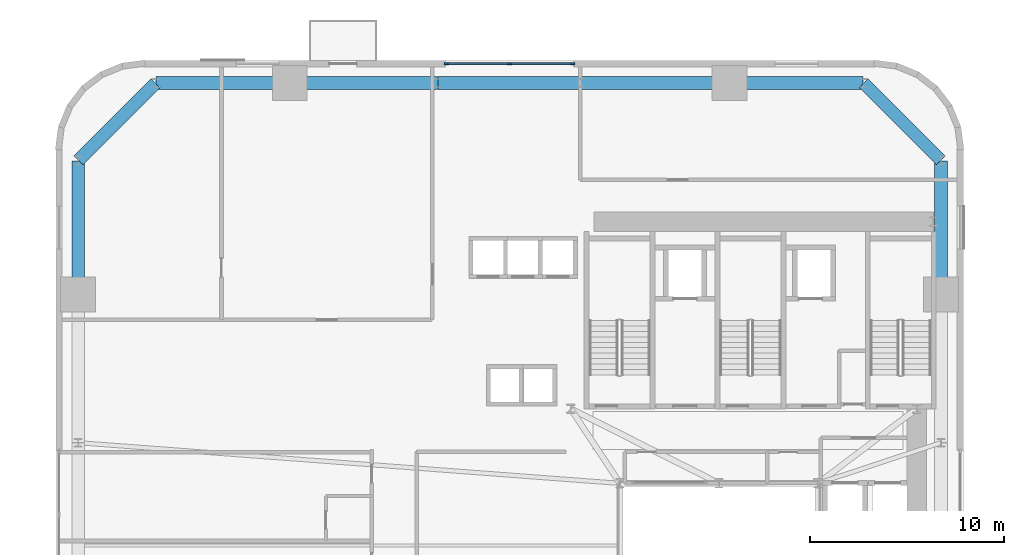
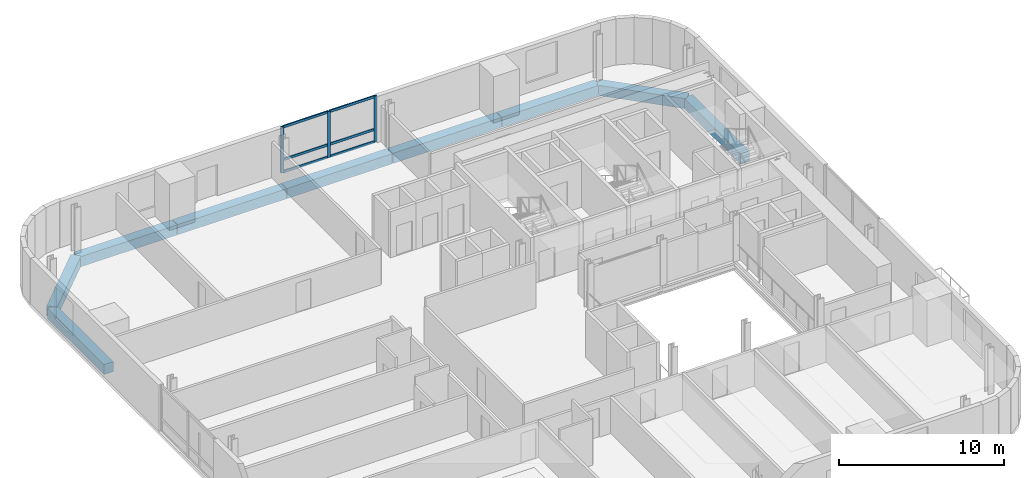
# One storey, part 4 of 13: 9 beams, 9 members, 1 element without a shape of its own.
"""IFC4 building model written with IfcOpenShell, lengths in metres."""

from ifc_helpers import new_model, si_unit, direction, frame, origin, origin_2d, place, context, subcontext, project, spatial, rectangle, extrude, source, transform, mapped, material, material_profile, profile_set, type_object, element, aggregate, save


model = new_model("IFC4")

# Units and contexts
model_context = context("Model", 3, precision=1e-05, world=origin(), true_north=direction((0.0, 1.0)))
body_context = subcontext(model_context, "Body", "Model", "MODEL_VIEW")
ifc_project = project(units=[si_unit("LENGTHUNIT", "METRE"), si_unit("AREAUNIT", "SQUARE_METRE"), si_unit("VOLUMEUNIT", "CUBIC_METRE"), si_unit("PLANEANGLEUNIT", "RADIAN"), si_unit("MASSUNIT", "GRAM", prefix="KILO")], contexts=[model_context])

# Site, building, storey
site_placement = place(None, origin())
site = spatial("IfcSite", under=ifc_project, at=site_placement, CompositionType="ELEMENT")
building_placement = place(site_placement, origin())
building = spatial("IfcBuilding", under=site, at=building_placement, Name="Vardaveli Station Tower", CompositionType="ELEMENT")
storey_placement = place(building_placement, frame((0.0, 0.0, 38.550048828125)))
storey = spatial("IfcBuildingStorey", under=building, at=storey_placement, Name="L09", CompositionType="ELEMENT", Elevation=38.550048828125)

# Beams
ifc_material_1 = material(Name="Precast concrete C45/55", Category="concrete")
ifc_material_profile_1 = material_profile(ifc_material_1, rectangle(XDim=0.64990234375, YDim=0.75, at=origin_2d()), Name="LPB 650x750")
ifc_profile_set_1 = profile_set([ifc_material_profile_1], Name="Precast concrete C45/55")
beam_type = type_object("IfcBeamType", Name="BM-LPB-750", PredefinedType="BEAM", material=ifc_profile_set_1)
shared_shape_1 = source(origin(), body_context, "Body", "SweptSolid", [
    extrude(rectangle(XDim=0.64990234375, YDim=0.75, at=origin_2d()), origin(), (0.0, 0.0, 1.0), 7.60009765625),
])
for number, where, z_axis, x_axis, name in (
    (1, (36.820068359375, 47.449951171875, -0.614990234375), (-1.0, 0.0, 0.0), (0.0, -1.0, 0.0), "RBM-L09-13"),
    (2, (21.780029296875, 47.449951171875, -0.614990234375), (-1.0, 0.0, 0.0), (0.0, -1.0, 0.0), "RBM-L09-15"),
):
    element("IfcBeam", number, at=place(storey_placement, frame(where, z_axis=z_axis, x_axis=x_axis)), inside=storey, type_object=beam_type, Name=name, PredefinedType="BEAM", context=body_context, shape_type="MappedRepresentation", body=[
        mapped(shared_shape_1, transform((0.0, 0.0, 0.0), scale=1.0)),
    ])
shared_shape_2 = source(origin(), body_context, "Body", "SweptSolid", [
    extrude(rectangle(XDim=0.64990234375, YDim=0.75, at=origin_2d()), origin(), (0.0, 0.0, 1.0), 7.35986328125),
])
beam_placement = place(storey_placement, frame((29.179931640625, 47.449951171875, -0.614990234375), z_axis=(-1.0, 0.0, 0.0), x_axis=(0.0, -1.0, 0.0)))
element("IfcBeam", 3, at=beam_placement, inside=storey, type_object=beam_type, Name="RBM-L09-14", PredefinedType="BEAM", context=body_context, shape_type="MappedRepresentation", body=[
    mapped(shared_shape_2, transform((0.0, 0.0, 0.0), scale=1.0)),
])
shared_shape_3 = source(origin(), body_context, "Body", "SweptSolid", [
    extrude(rectangle(XDim=0.64990234375, YDim=0.75, at=origin_2d()), origin(), (0.0, 0.0, 1.0), 6.869873046875),
])
for number, where, z_axis, x_axis, name in (
    (4, (47.75, 36.56005859375, -0.614990234375), (0.0, 1.0, 0.0), (-1.0, 0.0, 0.0), "RBM-L09-10"),
    (5, (43.72998046875, 47.449951171875, -0.614990234375), (-1.0, 0.0, 0.0), (0.0, -1.0, 0.0), "RBM-L09-12"),
    (6, (14.139892578125, 47.449951171875, -0.614990234375), (-1.0, 0.0, 0.0), (0.0, -1.0, 0.0), "RBM-L09-16"),
    (7, (3.25, 43.429931640625, -0.614990234375), (0.0, -1.0, 0.0), (1.0, 0.0, 0.0), "RBM-L09-18"),
):
    element("IfcBeam", number, at=place(storey_placement, frame(where, z_axis=z_axis, x_axis=x_axis)), inside=storey, type_object=beam_type, Name=name, PredefinedType="BEAM", context=body_context, shape_type="MappedRepresentation", body=[
        mapped(shared_shape_3, transform((0.0, 0.0, 0.0), scale=1.0)),
    ])
shared_shape_4 = source(origin(), body_context, "Body", "SweptSolid", [
    extrude(rectangle(XDim=0.64990234375, YDim=0.75, at=origin_2d()), origin(), (0.0, 0.0, 1.0), 5.61669921875),
])
for number, where, z_axis, x_axis, name in (
    (8, (47.73583984375, 43.464111328125, -0.614990234375), (-0.707106781187, 0.707106781187, 0.0), (-0.707106781187, -0.707106781187, 0.0), "RBM-L09-11"),
    (9, (7.23583984375, 47.435791015625, -0.614990234375), (-0.707106781187, -0.707106781187, 0.0), (0.707106781187, -0.707106781187, 0.0), "RBM-L09-17"),
):
    element("IfcBeam", number, at=place(storey_placement, frame(where, z_axis=z_axis, x_axis=x_axis)), inside=storey, type_object=beam_type, Name=name, PredefinedType="BEAM", context=body_context, shape_type="MappedRepresentation", body=[
        mapped(shared_shape_4, transform((0.0, 0.0, 0.0), scale=1.0)),
    ])

# Curtain wall, members
ifc_material_2 = material(Name="Travertine stone and solar-control glass", Category="masonry")
curtain_wall_type = type_object("IfcCurtainWallType", Name="CW-SYS-2", PredefinedType="NOTDEFINED", material=ifc_material_2)
curtain_wall_placement = place(storey_placement, origin())
curtain_wall = element("IfcCurtainWall", 10, at=curtain_wall_placement, inside=storey, type_object=curtain_wall_type, Name="CW-L09-N", PredefinedType="NOTDEFINED")
ifc_material_3 = material(Name="Anodised aluminium alloy 6063-T6", Category="aluminium")
ifc_material_profile_2 = material_profile(ifc_material_3, rectangle(XDim=0.0849609375, YDim=0.219970703125, at=origin_2d()), Name="CWM 85x220")
ifc_profile_set_2 = profile_set([ifc_material_profile_2], Name="Anodised aluminium alloy 6063-T6")
member_type_1 = type_object("IfcMemberType", Name="CW-SYS-2-MULL", PredefinedType="MULLION", material=ifc_profile_set_2)
shared_shape_5 = source(origin(), body_context, "Body", "SweptSolid", [
    extrude(rectangle(XDim=0.0849609375, YDim=0.219970703125, at=origin_2d()), origin(), (0.0, 0.0, 1.0), 3.409912109375),
])
member_1_placement = place(storey_placement, frame((28.757568359375, 48.43994140625, 0.0), z_axis=(0.0, 0.0, 1.0), x_axis=(0.0, -1.0, 0.0)))
member_1 = element("IfcMember", 11, at=member_1_placement, type_object=member_type_1, Name="CW-2 mullion 1", PredefinedType="MULLION", context=body_context, shape_type="MappedRepresentation", body=[
    mapped(shared_shape_5, transform((0.0, 0.0, 0.0), scale=1.0)),
])
member_2_placement = place(storey_placement, frame((25.5, 48.43994140625, 0.0), z_axis=(0.0, 0.0, 1.0), x_axis=(0.0, -1.0, 0.0)))
member_2 = element("IfcMember", 12, at=member_2_placement, type_object=member_type_1, Name="CW-2 mullion 2", PredefinedType="MULLION", context=body_context, shape_type="MappedRepresentation", body=[
    mapped(shared_shape_5, transform((0.0, 0.0, 0.0), scale=1.0)),
])
member_3_placement = place(storey_placement, frame((22.242431640625, 48.43994140625, 0.0), z_axis=(0.0, 0.0, 1.0), x_axis=(0.0, -1.0, 0.0)))
member_3 = element("IfcMember", 13, at=member_3_placement, type_object=member_type_1, Name="CW-2 mullion 3", PredefinedType="MULLION", context=body_context, shape_type="MappedRepresentation", body=[
    mapped(shared_shape_5, transform((0.0, 0.0, 0.0), scale=1.0)),
])
ifc_material_profile_3 = material_profile(ifc_material_3, rectangle(XDim=0.0849609375, YDim=0.179931640625, at=origin_2d()), Name="CWT 85x180")
ifc_profile_set_3 = profile_set([ifc_material_profile_3], Name="Anodised aluminium alloy 6063-T6")
member_type_2 = type_object("IfcMemberType", Name="CW-SYS-2-TRAN", PredefinedType="NOTDEFINED", material=ifc_profile_set_3)
shared_shape_6 = source(origin(), body_context, "Body", "SweptSolid", [
    extrude(rectangle(XDim=0.0849609375, YDim=0.179931640625, at=origin_2d()), origin(), (0.0, 0.0, 1.0), 3.172607421875),
])
member_4_placement = place(storey_placement, frame((28.715087890625, 48.43994140625, 0.04248046875), z_axis=(-1.0, 0.0, 0.0), x_axis=(0.0, -1.0, 0.0)))
member_4 = element("IfcMember", 14, at=member_4_placement, type_object=member_type_2, Name="CW-2 transom 1.1", ObjectType="TRANSOM", PredefinedType="USERDEFINED", context=body_context, shape_type="MappedRepresentation", body=[
    mapped(shared_shape_6, transform((0.0, 0.0, 0.0), scale=1.0)),
])
member_5_placement = place(storey_placement, frame((28.715087890625, 48.43994140625, 0.949951171875), z_axis=(-1.0, 0.0, 0.0), x_axis=(0.0, -1.0, 0.0)))
member_5 = element("IfcMember", 15, at=member_5_placement, type_object=member_type_2, Name="CW-2 transom 1.2", ObjectType="TRANSOM", PredefinedType="USERDEFINED", context=body_context, shape_type="MappedRepresentation", body=[
    mapped(shared_shape_6, transform((0.0, 0.0, 0.0), scale=1.0)),
])
member_6_placement = place(storey_placement, frame((28.715087890625, 48.43994140625, 3.367431640625), z_axis=(-1.0, 0.0, 0.0), x_axis=(0.0, -1.0, 0.0)))
member_6 = element("IfcMember", 16, at=member_6_placement, type_object=member_type_2, Name="CW-2 transom 1.3", ObjectType="TRANSOM", PredefinedType="USERDEFINED", context=body_context, shape_type="MappedRepresentation", body=[
    mapped(shared_shape_6, transform((0.0, 0.0, 0.0), scale=1.0)),
])
member_7_placement = place(storey_placement, frame((25.45751953125, 48.43994140625, 0.04248046875), z_axis=(-1.0, 0.0, 0.0), x_axis=(0.0, -1.0, 0.0)))
member_7 = element("IfcMember", 17, at=member_7_placement, type_object=member_type_2, Name="CW-2 transom 2.1", ObjectType="TRANSOM", PredefinedType="USERDEFINED", context=body_context, shape_type="MappedRepresentation", body=[
    mapped(shared_shape_6, transform((0.0, 0.0, 0.0), scale=1.0)),
])
member_8_placement = place(storey_placement, frame((25.45751953125, 48.43994140625, 0.949951171875), z_axis=(-1.0, 0.0, 0.0), x_axis=(0.0, -1.0, 0.0)))
member_8 = element("IfcMember", 18, at=member_8_placement, type_object=member_type_2, Name="CW-2 transom 2.2", ObjectType="TRANSOM", PredefinedType="USERDEFINED", context=body_context, shape_type="MappedRepresentation", body=[
    mapped(shared_shape_6, transform((0.0, 0.0, 0.0), scale=1.0)),
])
member_9_placement = place(storey_placement, frame((25.45751953125, 48.43994140625, 3.367431640625), z_axis=(-1.0, 0.0, 0.0), x_axis=(0.0, -1.0, 0.0)))
member_9 = element("IfcMember", 19, at=member_9_placement, type_object=member_type_2, Name="CW-2 transom 2.3", ObjectType="TRANSOM", PredefinedType="USERDEFINED", context=body_context, shape_type="MappedRepresentation", body=[
    mapped(shared_shape_6, transform((0.0, 0.0, 0.0), scale=1.0)),
])
aggregate(curtain_wall, [member_1, member_2, member_3, member_4, member_5, member_6, member_7, member_8, member_9])

save(model, "model.ifc")
